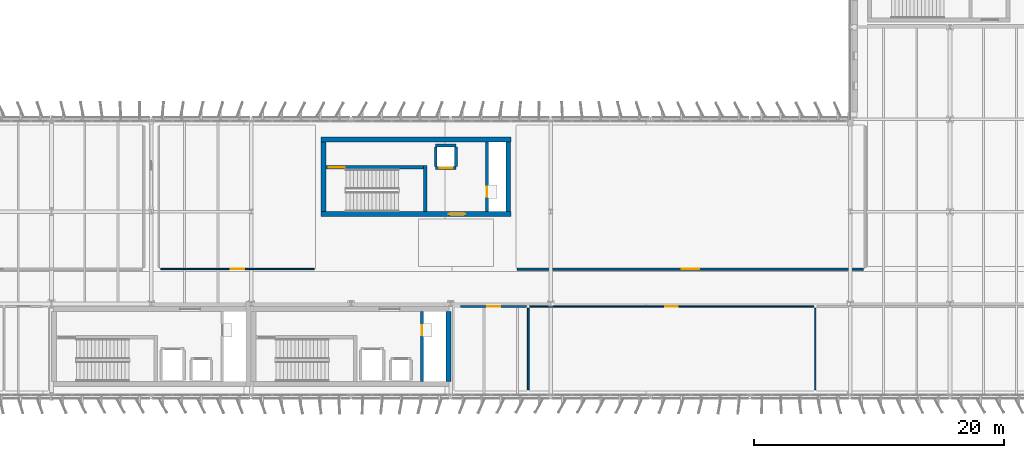
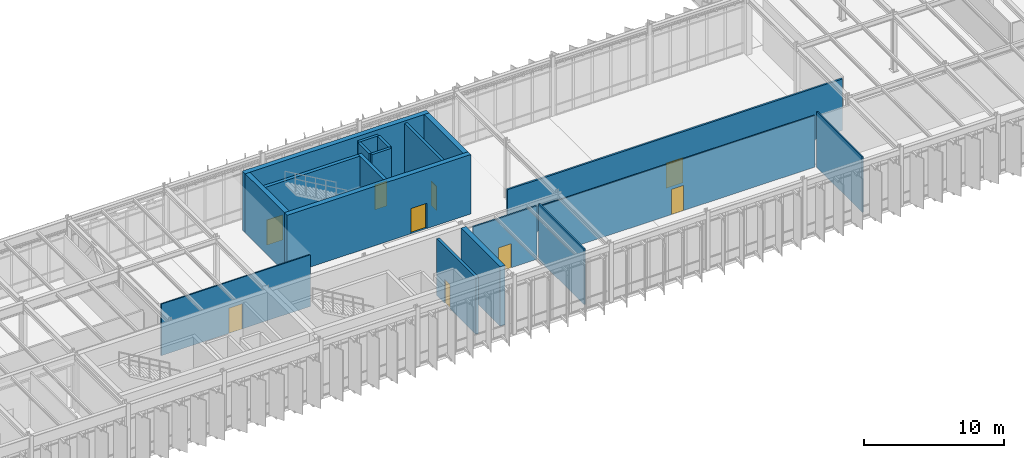
# One storey, part 35 of 48: 19 walls, 9 doors, 9 openings.
"""IFC4 building model written with IfcOpenShell, lengths in metres."""

import ifcopenshell
import ifcopenshell.guid

model = None  # the IFC model being written
_history = None  # IfcOwnerHistory: only IFC2X3 demands one
_inside = {}  # id of a spatial element -> (the spatial element, [elements in it])
_under = {}  # id of a project, library or spatial element -> (it, [spatial elements below it])
_declared = {}  # id of a project -> (the project, [libraries it declares])
_typed = {}  # id of a type object -> (the type object, [elements of that type])
_made_of = {}  # id of a material, layer set ... -> (it, [elements and type objects made of it])


def new_model(schema):
    """Start an empty IFC model of exactly this schema.

    Asked for "IFC4X3", IfcOpenShell would pick the latest addendum, in which some entities
    have other attributes; the version numbers below select the first issue.
    IFC2X3 requires an IfcOwnerHistory on every rooted entity: one is made here for all.
    """
    global model, _history
    if schema == "IFC4X3":
        model = ifcopenshell.file(schema_version=(4, 3, 0, 0))
    else:
        model = ifcopenshell.file(schema=schema)
    _inside.clear()
    _under.clear()
    _declared.clear()
    _typed.clear()
    _made_of.clear()
    _history = None
    if model.schema == "IFC2X3":
        org = make("IfcOrganization", Name="unknown")
        user = make(
            "IfcPersonAndOrganization",
            ThePerson=make("IfcPerson", FamilyName="unknown"),
            TheOrganization=org,
        )
        app = make(
            "IfcApplication",
            ApplicationDeveloper=org,
            Version="unknown",
            ApplicationFullName="unknown",
            ApplicationIdentifier="unknown",
        )
        _history = make(
            "IfcOwnerHistory",
            OwningUser=user,
            OwningApplication=app,
            ChangeAction="ADDED",
            CreationDate=0,
        )
    return model


def make(cls, **values):
    """One entity of the class cls with the attributes given. An attribute that is None is left unset."""
    return model.create_entity(
        cls, **{name: value for name, value in values.items() if value is not None}
    )


def rooted(cls, **values):
    """An entity with a GlobalId (a new one), such as an element, a storey or a relation."""
    return make(cls, GlobalId=ifcopenshell.guid.new(), OwnerHistory=_history, **values)


def si_unit(unit_type, name, prefix=None):
    """IfcSIUnit, for example si_unit("LENGTHUNIT", "METRE", prefix="MILLI")."""
    return make("IfcSIUnit", UnitType=unit_type, Prefix=prefix, Name=name)


def assignment(units):
    """IfcUnitAssignment: the units of a project."""
    return None if units is None else make("IfcUnitAssignment", Units=units)


def point(xyz):
    """IfcCartesianPoint."""
    return None if xyz is None else make("IfcCartesianPoint", Coordinates=xyz)


def direction(xyz):
    """IfcDirection."""
    return None if xyz is None else make("IfcDirection", DirectionRatios=xyz)


def frame(location, z_axis=None, x_axis=None):
    """IfcAxis2Placement3D, a coordinate frame: its origin and axes. An axis left out is left unset."""
    return make(
        "IfcAxis2Placement3D",
        Location=point(location),
        Axis=direction(z_axis),
        RefDirection=direction(x_axis),
    )


def frame_2d(location, x_axis=None):
    """IfcAxis2Placement2D, a coordinate frame in the plane: its origin and x axis."""
    return make(
        "IfcAxis2Placement2D", Location=point(location), RefDirection=direction(x_axis)
    )


def origin():
    """The frame at (0, 0, 0) with its axes left unset."""
    return frame((0.0, 0.0, 0.0))


def place(relative_to, where):
    """IfcLocalPlacement: puts the frame where relative to a parent placement (None: the world)."""
    return make(
        "IfcLocalPlacement", PlacementRelTo=relative_to, RelativePlacement=where
    )


def context(
    kind, dimensions, precision=None, world=None, true_north=None, identifier=None
):
    """IfcGeometricRepresentationContext, for example the 3D "Model" context."""
    return make(
        "IfcGeometricRepresentationContext",
        ContextIdentifier=identifier,
        ContextType=kind,
        CoordinateSpaceDimension=dimensions,
        Precision=precision,
        WorldCoordinateSystem=world,
        TrueNorth=true_north,
    )


def subcontext(parent, identifier, kind, view, scale=None):
    """IfcGeometricRepresentationSubContext, for example "Body" below "Model"."""
    return make(
        "IfcGeometricRepresentationSubContext",
        ContextIdentifier=identifier,
        ContextType=kind,
        ParentContext=parent,
        TargetScale=scale,
        TargetView=view,
    )


def project(units=None, contexts=None):
    """IfcProject with its units and contexts."""
    return rooted(
        "IfcProject",
        Name="project",
        RepresentationContexts=contexts,
        UnitsInContext=assignment(units),
    )


def spatial(cls, under=None, at=None, **own):
    """A site, building, storey or space (cls), placed at a placement, below another one or the project."""
    s = rooted(cls, ObjectPlacement=at, **own)
    if under is not None:
        _under.setdefault(under.id(), (under, []))[1].append(s)
    return s


def profile(cls, at=None, kind="AREA", **sizes):
    """A parametric profile (cls). Its sizes go by their IFC names, for example OverallWidth=200.0."""
    return make(cls, ProfileType=kind, Position=at, **sizes)


def rectangle(**sizes):
    """IfcRectangleProfileDef."""
    return profile("IfcRectangleProfileDef", **sizes)


def extrude(swept, where, along, depth):
    """IfcExtrudedAreaSolid: the profile swept, set in the frame where, extruded along a direction by depth."""
    return make(
        "IfcExtrudedAreaSolid",
        SweptArea=swept,
        Position=where,
        ExtrudedDirection=direction(along),
        Depth=depth,
    )


def shape(context_of_items, identifier, shape_type, items):
    """IfcShapeRepresentation: the items that make up one representation, for example the "Body"."""
    return make(
        "IfcShapeRepresentation",
        ContextOfItems=context_of_items,
        RepresentationIdentifier=identifier,
        RepresentationType=shape_type,
        Items=items,
    )


def material(Name=None, Category=None):
    """IfcMaterial."""
    return make("IfcMaterial", Name=Name, Category=Category)


def layer(
    of_material, thickness, ventilated=None, Name=None, Category=None, Priority=None
):
    """IfcMaterialLayer: one layer of a wall or slab, of a material (None: an air gap)."""
    return make(
        "IfcMaterialLayer",
        Material=of_material,
        LayerThickness=thickness,
        IsVentilated=ventilated,
        Name=Name,
        Category=Category,
        Priority=Priority,
    )


def layer_set(layers, Name=None):
    """IfcMaterialLayerSet."""
    return make("IfcMaterialLayerSet", MaterialLayers=layers, LayerSetName=Name)


def made_of(thing, what):
    """Note that an element or type object is made of a material, layer set ...; save() writes the relation."""
    if what is not None:
        _made_of.setdefault(what.id(), (what, []))[1].append(thing)
    return thing


def type_object(cls, material=None, **own):
    """A type object (cls), such as IfcWallType, which elements share."""
    return made_of(rooted(cls, **own), material)


def element(
    cls,
    number,
    at=None,
    inside=None,
    cuts=None,
    type_object=None,
    material=None,
    context=None,
    identifier="Body",
    shape_type=None,
    held_by="IfcProductDefinitionShape",
    body=None,
    shapes=None,
    **own,
):
    """One element of the class cls, such as IfcWall. Its Tag is "e" and its number.

    at: its placement. inside: the storey or other place that contains it. cuts: it is an
    opening in that element (IfcRelVoidsElement). A single representation is given by context,
    identifier, shape_type and body (its items); several are given by shapes. held_by: the class
    of the entity that holds the representations. save() writes the other relations.
    """
    e = rooted(cls, Tag="e%d" % number, ObjectPlacement=at, **own)
    if body is not None:
        shapes = [shape(context, identifier, shape_type, body)]
    if shapes is not None:
        e.Representation = make(held_by, Representations=shapes)
    if inside is not None:
        _inside.setdefault(inside.id(), (inside, []))[1].append(e)
    if cuts is not None:
        rooted(
            "IfcRelVoidsElement", RelatingBuildingElement=cuts, RelatedOpeningElement=e
        )
    if type_object is not None:
        _typed.setdefault(type_object.id(), (type_object, []))[1].append(e)
    return made_of(e, material)


def fill(opening, filler):
    """IfcRelFillsElement: the door or window that sits in an opening."""
    return rooted(
        "IfcRelFillsElement",
        RelatingOpeningElement=opening,
        RelatedBuildingElement=filler,
    )


def aggregate(whole, parts):
    """IfcRelAggregates: a whole, such as a stair, and the parts it consists of."""
    return rooted("IfcRelAggregates", RelatingObject=whole, RelatedObjects=parts)


def save(model, path):
    """Write the relations noted so far, then the file.

    IfcRelAggregates (storeys below a building ...), IfcRelContainedInSpatialStructure (elements
    in a storey), IfcRelDefinesByType, IfcRelAssociatesMaterial and IfcRelDeclares: one each for
    every whole, place, type object, material and project.
    """
    for whole, parts in _under.values():
        aggregate(whole, parts)
    for where, things in _inside.values():
        rooted(
            "IfcRelContainedInSpatialStructure",
            RelatedElements=things,
            RelatingStructure=where,
        )
    for kind, things in _typed.values():
        rooted("IfcRelDefinesByType", RelatedObjects=things, RelatingType=kind)
    for what, things in _made_of.values():
        rooted("IfcRelAssociatesMaterial", RelatedObjects=things, RelatingMaterial=what)
    for by, libraries in _declared.values():
        rooted("IfcRelDeclares", RelatingContext=by, RelatedDefinitions=libraries)
    model.write(path)


model = new_model("IFC4")

# Units and contexts
model_context = context("Model", 3, precision=1e-05, world=origin(), true_north=direction((0.0, 1.0)))
body_context = subcontext(model_context, "Body", "Model", "MODEL_VIEW")
ifc_project = project(units=[si_unit("LENGTHUNIT", "METRE"), si_unit("AREAUNIT", "SQUARE_METRE"), si_unit("VOLUMEUNIT", "CUBIC_METRE"), si_unit("PLANEANGLEUNIT", "RADIAN"), si_unit("MASSUNIT", "GRAM", prefix="KILO")], contexts=[model_context])

# Site, building, storey
site_placement = place(None, origin())
site = spatial("IfcSite", under=ifc_project, at=site_placement, CompositionType="ELEMENT")
building_placement = place(site_placement, origin())
building = spatial("IfcBuilding", under=site, at=building_placement, Name="Valkorina Park Police Headquarters", CompositionType="ELEMENT")
storey_placement = place(building_placement, frame((0.0, 0.0, 18.10009765625)))
storey = spatial("IfcBuildingStorey", under=building, at=storey_placement, Name="L05", CompositionType="ELEMENT", Elevation=18.10009765625)

# Wall, opening, door
ifc_material_1 = material(Name="Acoustic mineral board")
ifc_layer_1 = layer(ifc_material_1, 0.14990234375)
ifc_layer_set_1 = layer_set([ifc_layer_1], Name="Acoustic mineral board")
wall_type_1 = type_object("IfcWallType", Name="WL-ACOUST-150-EI30", PredefinedType="PARTITIONING", material=ifc_layer_set_1)
wall_1_placement = place(storey_placement, frame((54.139892578125, 47.199951171875, 0.0), z_axis=(0.0, 0.0, 1.0), x_axis=(1.0, 0.0, 0.0)))
wall_1 = element("IfcWall", 1, at=wall_1_placement, inside=storey, type_object=wall_type_1, Name="L05 Interior Partition 0237 (L05-CYB-06)", PredefinedType="PARTITIONING", context=body_context, shape_type="SweptSolid", body=[
    extrude(rectangle(XDim=27.72021484375, YDim=0.14990234375, at=frame_2d((13.860107421875, 0.0))), origin(), (0.0, 0.0, 1.0), 4.510009765625),
])
opening_1_placement = place(wall_1_placement, frame((13.159912109375, 0.0, 0.0)))
opening_1 = element("IfcOpeningElement", 2, at=opening_1_placement, cuts=wall_1, Name="Opening ID-07", PredefinedType="OPENING", context=body_context, shape_type="SweptSolid", body=[
    extrude(rectangle(XDim=1.39990234375, YDim=2.199951171875, at=frame_2d((0.699951171875, 1.10009765625))), frame((0.0, 0.0849609375, 0.0), z_axis=(0.0, -1.0, 0.0), x_axis=(1.0, 0.0, 0.0)), (0.0, 0.0, 1.0), 0.169921875),
])
ifc_material_2 = material(Name="Thermally broken aluminium AW-6060", Category="aluminium")
ifc_layer_2 = layer(ifc_material_2, 0.050048828125)
ifc_layer_set_2 = layer_set([ifc_layer_2], Name="Thermally broken aluminium AW-6060")
door_type_1 = type_object("IfcDoorType", Name="DR-INT-CONF-1400x2200", OperationType="NOTDEFINED", PredefinedType="DOOR", material=ifc_layer_set_2)
door_1_placement = place(opening_1_placement, origin())
door_1 = element("IfcDoor", 3, at=door_1_placement, inside=storey, type_object=door_type_1, Name="Door D-L05-I113 (L05-CYB-06)", OperationType="SINGLE_SWING_RIGHT", OverallHeight=2.199951171875, OverallWidth=1.39990234375, PredefinedType="DOOR", context=body_context, shape_type="SweptSolid", body=[
    extrude(rectangle(XDim=1.39990234375, YDim=2.199951171875, at=frame_2d((0.699951171875, 1.10009765625))), frame((0.0, 0.02490234375, 0.0), z_axis=(0.0, -1.0, 0.0), x_axis=(1.0, 0.0, 0.0)), (0.0, 0.0, 1.0), 0.050048828125),
])
fill(opening_1, door_1)

ifc_material_3 = material(Name="Autoclaved aerated concrete masonry", Category="masonry")
ifc_layer_3 = layer(ifc_material_3, 0.219970703125)
ifc_layer_set_3 = layer_set([ifc_layer_3], Name="Autoclaved aerated concrete masonry")
wall_type_2 = type_object("IfcWallType", Name="WL-CHASE-220-EI60", PredefinedType="PLUMBINGWALL", material=ifc_layer_set_3)
wall_2_placement = place(storey_placement, frame((46.489990234375, 38.199951171875, 0.0), z_axis=(0.0, 0.0, 1.0), x_axis=(0.0, 1.0, 0.0)))
wall_2 = element("IfcWall", 4, at=wall_2_placement, inside=storey, type_object=wall_type_2, Name="Core C2 L05 Riser Shaft West Wall", PredefinedType="PLUMBINGWALL", context=body_context, shape_type="SweptSolid", body=[
    extrude(rectangle(XDim=5.60009765625, YDim=0.219970703125, at=frame_2d((2.800048828125, 0.0))), origin(), (0.0, 0.0, 1.0), 4.97998046875),
])
opening_2_placement = place(wall_2_placement, frame((3.699951171875, 0.0, 0.0)))
opening_2 = element("IfcOpeningElement", 5, at=opening_2_placement, cuts=wall_2, Name="Opening ID-01", PredefinedType="OPENING", context=body_context, shape_type="SweptSolid", body=[
    extrude(rectangle(XDim=0.800048828125, YDim=2.10009765625, at=frame_2d((0.39990234375, 1.050048828125))), frame((0.0, 0.1201171875, 0.0), z_axis=(0.0, -1.0, 0.0), x_axis=(1.0, 0.0, 0.0)), (0.0, 0.0, 1.0), 0.239990234375),
])
ifc_material_4 = material(Name="Galvanized steel door leaf", Category="steel")
ifc_layer_4 = layer(ifc_material_4, 0.050048828125)
ifc_layer_set_4 = layer_set([ifc_layer_4], Name="Galvanized steel door leaf")
door_type_2 = type_object("IfcDoorType", Name="DR-INT-RISER-800x2100", OperationType="NOTDEFINED", PredefinedType="DOOR", material=ifc_layer_set_4)
door_2_placement = place(opening_2_placement, origin())
door_2 = element("IfcDoor", 6, at=door_2_placement, inside=storey, type_object=door_type_2, Name="Riser Shaft Access Door C2-L05", OperationType="SINGLE_SWING_LEFT", OverallHeight=2.10009765625, OverallWidth=0.800048828125, PredefinedType="DOOR", context=body_context, shape_type="SweptSolid", body=[
    extrude(rectangle(XDim=0.800048828125, YDim=2.10009765625, at=frame_2d((0.39990234375, 1.050048828125))), frame((0.0, 0.02490234375, 0.0), z_axis=(0.0, -1.0, 0.0), x_axis=(1.0, 0.0, 0.0)), (0.0, 0.0, 1.0), 0.050048828125),
])
fill(opening_2, door_2)

wall_3_placement = place(storey_placement, frame((47.590087890625, 55.2900390625, 0.0), z_axis=(0.0, 0.0, 1.0), x_axis=(1.0, 0.0, 0.0)))
wall_3 = element("IfcWall", 7, at=wall_3_placement, inside=storey, type_object=wall_type_2, Name="Lift LF-05 L05 Shaft Front Wall", PredefinedType="PLUMBINGWALL", context=body_context, shape_type="SweptSolid", body=[
    extrude(rectangle(XDim=1.619873046875, YDim=0.219970703125, at=frame_2d((0.81005859375, 0.0))), origin(), (0.0, 0.0, 1.0), 4.97998046875),
])
opening_3_placement = place(wall_3_placement, frame((0.31005859375, 0.0, 0.0)))
opening_3 = element("IfcOpeningElement", 8, at=opening_3_placement, cuts=wall_3, Name="Opening LD-02", PredefinedType="OPENING", context=body_context, shape_type="SweptSolid", body=[
    extrude(rectangle(XDim=1.0, YDim=2.199951171875, at=frame_2d((0.5, 1.10009765625))), frame((0.0, 0.1201171875, 0.0), z_axis=(0.0, -1.0, 0.0), x_axis=(1.0, 0.0, 0.0)), (0.0, 0.0, 1.0), 0.239990234375),
])
ifc_material_5 = material(Name="Stainless steel EN 1.4404", Category="steel")
ifc_layer_5 = layer(ifc_material_5, 0.050048828125)
ifc_layer_set_5 = layer_set([ifc_layer_5], Name="Stainless steel EN 1.4404")
door_type_3 = type_object("IfcDoorType", Name="DR-LIFT-PAX-1000x2200", OperationType="NOTDEFINED", PredefinedType="DOOR", material=ifc_layer_set_5)
door_3_placement = place(opening_3_placement, origin())
door_3 = element("IfcDoor", 9, at=door_3_placement, inside=storey, type_object=door_type_3, Name="Lift Landing Door LF-05-L05", OperationType="DOUBLE_DOOR_SLIDING", OverallHeight=2.199951171875, OverallWidth=1.0, PredefinedType="DOOR", context=body_context, shape_type="SweptSolid", body=[
    extrude(rectangle(XDim=1.0, YDim=2.199951171875, at=frame_2d((0.5, 1.10009765625))), frame((0.0, 0.02490234375, 0.0), z_axis=(0.0, -1.0, 0.0), x_axis=(1.0, 0.0, 0.0)), (0.0, 0.0, 1.0), 0.050048828125),
])
fill(opening_3, door_3)

# Walls
wall_4_placement = place(storey_placement, frame((47.590087890625, 57.110107421875, 0.0), z_axis=(0.0, 0.0, 1.0), x_axis=(1.0, 0.0, 0.0)))
element("IfcWall", 10, at=wall_4_placement, inside=storey, type_object=wall_type_2, Name="Lift LF-05 L05 Shaft Back Wall", PredefinedType="PLUMBINGWALL", context=body_context, shape_type="SweptSolid", body=[
    extrude(rectangle(XDim=1.619873046875, YDim=0.219970703125, at=frame_2d((0.81005859375, 0.0))), origin(), (0.0, 0.0, 1.0), 4.97998046875),
])
for number, where, z_axis, x_axis, name in (
    (11, (47.590087890625, 55.39990234375, 0.0), (0.0, 0.0, 1.0), (0.0, 1.0, 0.0), "Lift LF-05 L05 Shaft Side Wall W"),
    (12, (49.2099609375, 55.39990234375, 0.0), (0.0, 0.0, 1.0), (0.0, 1.0, 0.0), "Lift LF-05 L05 Shaft Side Wall E"),
):
    element("IfcWall", number, at=place(storey_placement, frame(where, z_axis=z_axis, x_axis=x_axis)), inside=storey, type_object=wall_type_2, Name=name, PredefinedType="PLUMBINGWALL", context=body_context, shape_type="SweptSolid", body=[
        extrude(rectangle(XDim=1.60009765625, YDim=0.219970703125, at=frame_2d((0.800048828125, 0.0))), origin(), (0.0, 0.0, 1.0), 4.97998046875),
    ])

# Wall, opening, door
wall_5_placement = place(storey_placement, frame((51.68994140625, 51.800048828125, 0.0), z_axis=(0.0, 0.0, 1.0), x_axis=(0.0, 1.0, 0.0)))
wall_5 = element("IfcWall", 13, at=wall_5_placement, inside=storey, type_object=wall_type_2, Name="Core C3 L05 Riser Shaft West Wall", PredefinedType="PLUMBINGWALL", context=body_context, shape_type="SweptSolid", body=[
    extrude(rectangle(XDim=5.599853515625, YDim=0.219970703125, at=frame_2d((2.7998046875, 0.0))), origin(), (0.0, 0.0, 1.0), 4.97998046875),
])
opening_4_placement = place(wall_5_placement, frame((1.199951171875, 0.0, 0.0)))
opening_4 = element("IfcOpeningElement", 14, at=opening_4_placement, cuts=wall_5, Name="Opening ID-01", PredefinedType="OPENING", context=body_context, shape_type="SweptSolid", body=[
    extrude(rectangle(XDim=0.800048828125, YDim=2.10009765625, at=frame_2d((0.39990234375, 1.050048828125))), frame((0.0, 0.1201171875, 0.0), z_axis=(0.0, -1.0, 0.0), x_axis=(1.0, 0.0, 0.0)), (0.0, 0.0, 1.0), 0.239990234375),
])
door_4_placement = place(opening_4_placement, origin())
door_4 = element("IfcDoor", 15, at=door_4_placement, inside=storey, type_object=door_type_2, Name="Riser Shaft Access Door C3-L05", OperationType="SINGLE_SWING_RIGHT", OverallHeight=2.10009765625, OverallWidth=0.800048828125, PredefinedType="DOOR", context=body_context, shape_type="SweptSolid", body=[
    extrude(rectangle(XDim=0.800048828125, YDim=2.10009765625, at=frame_2d((0.39990234375, 1.050048828125))), frame((0.0, 0.02490234375, 0.0), z_axis=(0.0, -1.0, 0.0), x_axis=(1.0, 0.0, 0.0)), (0.0, 0.0, 1.0), 0.050048828125),
])
fill(opening_4, door_4)

# Wall
ifc_material_6 = material(Name="Concrete C40/50", Category="concrete")
ifc_layer_6 = layer(ifc_material_6, 0.39990234375)
ifc_layer_set_6 = layer_set([ifc_layer_6], Name="Concrete C40/50")
wall_type_3 = type_object("IfcWallType", Name="WL-CORE-400-REI180", PredefinedType="SHEAR", material=ifc_layer_set_6)
wall_6_placement = place(storey_placement, frame((48.60009765625, 38.199951171875, 0.0), z_axis=(0.0, 0.0, 1.0), x_axis=(0.0, 1.0, 0.0)))
element("IfcWall", 16, at=wall_6_placement, inside=storey, type_object=wall_type_3, Name="Core C2 L05 Shear Wall E", PredefinedType="SHEAR", context=body_context, shape_type="SweptSolid", body=[
    extrude(rectangle(XDim=5.60009765625, YDim=0.39990234375, at=frame_2d((2.800048828125, 0.0))), origin(), (0.0, 0.0, 1.0), 5.19482421875),
])

# Wall, opening, door
wall_7_placement = place(storey_placement, frame((38.39990234375, 51.60009765625, 0.0), z_axis=(0.0, 0.0, 1.0), x_axis=(1.0, 0.0, 0.0)))
wall_7 = element("IfcWall", 17, at=wall_7_placement, inside=storey, type_object=wall_type_3, Name="Core C3 L05 Shear Wall S", PredefinedType="SHEAR", context=body_context, shape_type="SweptSolid", body=[
    extrude(rectangle(XDim=15.2001953125, YDim=0.39990234375, at=frame_2d((7.60009765625, 0.0))), origin(), (0.0, 0.0, 1.0), 5.19482421875),
])
opening_5_placement = place(wall_7_placement, frame((10.25, 0.0, 0.0)))
opening_5 = element("IfcOpeningElement", 18, at=opening_5_placement, cuts=wall_7, Name="Opening FD-03", PredefinedType="OPENING", context=body_context, shape_type="SweptSolid", body=[
    extrude(rectangle(XDim=1.300048828125, YDim=2.199951171875, at=frame_2d((0.64990234375, 1.10009765625))), frame((0.0, 0.2099609375, 0.0), z_axis=(0.0, -1.0, 0.0), x_axis=(1.0, 0.0, 0.0)), (0.0, 0.0, 1.0), 0.419921875),
])
ifc_layer_7 = layer(ifc_material_4, 0.050048828125)
ifc_layer_set_7 = layer_set([ifc_layer_7], Name="Galvanized steel door leaf")
door_type_4 = type_object("IfcDoorType", Name="DR-FIRE-STAIR-1300x2200", OperationType="NOTDEFINED", PredefinedType="DOOR", material=ifc_layer_set_7)
door_5_placement = place(opening_5_placement, origin())
door_5 = element("IfcDoor", 19, at=door_5_placement, inside=storey, type_object=door_type_4, Name="Door D-L05-LBY-C3 (Core C3 Lobby Fire Door)", OperationType="SINGLE_SWING_LEFT", OverallHeight=2.199951171875, OverallWidth=1.300048828125, PredefinedType="DOOR", context=body_context, shape_type="SweptSolid", body=[
    extrude(rectangle(XDim=1.300048828125, YDim=2.199951171875, at=frame_2d((0.64990234375, 1.10009765625))), frame((0.0, 0.02490234375, 0.0), z_axis=(0.0, -1.0, 0.0), x_axis=(1.0, 0.0, 0.0)), (0.0, 0.0, 1.0), 0.050048828125),
])
fill(opening_5, door_5)

# Walls
wall_8_placement = place(storey_placement, frame((38.39990234375, 57.60009765625, 0.0), z_axis=(0.0, 0.0, 1.0), x_axis=(1.0, 0.0, 0.0)))
element("IfcWall", 20, at=wall_8_placement, inside=storey, type_object=wall_type_3, Name="Core C3 L05 Shear Wall N", PredefinedType="SHEAR", context=body_context, shape_type="SweptSolid", body=[
    extrude(rectangle(XDim=15.2001953125, YDim=0.39990234375, at=frame_2d((7.60009765625, 0.0))), origin(), (0.0, 0.0, 1.0), 5.19482421875),
])
for number, where, z_axis, x_axis, name in (
    (21, (38.60009765625, 51.800048828125, 0.0), (0.0, 0.0, 1.0), (0.0, 1.0, 0.0), "Core C3 L05 Shear Wall W"),
    (22, (53.39990234375, 51.800048828125, 0.0), (0.0, 0.0, 1.0), (0.0, 1.0, 0.0), "Core C3 L05 Shear Wall E"),
):
    element("IfcWall", number, at=place(storey_placement, frame(where, z_axis=z_axis, x_axis=x_axis)), inside=storey, type_object=wall_type_3, Name=name, PredefinedType="SHEAR", context=body_context, shape_type="SweptSolid", body=[
        extrude(rectangle(XDim=5.599853515625, YDim=0.39990234375, at=frame_2d((2.7998046875, 0.0))), origin(), (0.0, 0.0, 1.0), 5.19482421875),
    ])

# Wall, opening, door
ifc_material_7 = material(Name="Gypsum plasterboard")
ifc_layer_8 = layer(ifc_material_7, 0.10009765625)
ifc_layer_set_8 = layer_set([ifc_layer_8], Name="Gypsum plasterboard")
wall_type_4 = type_object("IfcWallType", Name="WL-PART-100", PredefinedType="PARTITIONING", material=ifc_layer_set_8)
wall_9_placement = place(storey_placement, frame((25.5400390625, 47.199951171875, 0.0), z_axis=(0.0, 0.0, 1.0), x_axis=(1.0, 0.0, 0.0)))
wall_9 = element("IfcWall", 23, at=wall_9_placement, inside=storey, type_object=wall_type_4, Name="L05 Interior Partition 0233 (L05-CYB-03)", PredefinedType="PARTITIONING", context=body_context, shape_type="SweptSolid", body=[
    extrude(rectangle(XDim=12.320068359375, YDim=0.10009765625, at=frame_2d((6.16015625, 0.0))), origin(), (0.0, 0.0, 1.0), 4.510009765625),
])
opening_6_placement = place(wall_9_placement, frame((5.610107421875, 0.0, 0.0)))
opening_6 = element("IfcOpeningElement", 24, at=opening_6_placement, cuts=wall_9, Name="Opening ID-05", PredefinedType="OPENING", context=body_context, shape_type="SweptSolid", body=[
    extrude(rectangle(XDim=1.10009765625, YDim=2.199951171875, at=frame_2d((0.550048828125, 1.10009765625))), frame((0.0, 0.06005859375, 0.0), z_axis=(0.0, -1.0, 0.0), x_axis=(1.0, 0.0, 0.0)), (0.0, 0.0, 1.0), 0.1201171875),
])
ifc_layer_9 = layer(ifc_material_2, 0.050048828125)
ifc_layer_set_9 = layer_set([ifc_layer_9], Name="Thermally broken aluminium AW-6060")
door_type_5 = type_object("IfcDoorType", Name="DR-INT-INV-1100x2200", OperationType="NOTDEFINED", PredefinedType="DOOR", material=ifc_layer_set_9)
door_6_placement = place(opening_6_placement, origin())
door_6 = element("IfcDoor", 25, at=door_6_placement, inside=storey, type_object=door_type_5, Name="Door D-L05-I111 (L05-CYB-03)", OperationType="SINGLE_SWING_RIGHT", OverallHeight=2.199951171875, OverallWidth=1.10009765625, PredefinedType="DOOR", context=body_context, shape_type="SweptSolid", body=[
    extrude(rectangle(XDim=1.10009765625, YDim=2.199951171875, at=frame_2d((0.550048828125, 1.10009765625))), frame((0.0, 0.02490234375, 0.0), z_axis=(0.0, -1.0, 0.0), x_axis=(1.0, 0.0, 0.0)), (0.0, 0.0, 1.0), 0.050048828125),
])
fill(opening_6, door_6)

wall_10_placement = place(storey_placement, frame((55.139892578125, 44.199951171875, 0.0), z_axis=(0.0, 0.0, 1.0), x_axis=(1.0, 0.0, 0.0)))
wall_10 = element("IfcWall", 26, at=wall_10_placement, inside=storey, type_object=wall_type_4, Name="L05 Interior Partition 0235 (L05-CYB-05)", PredefinedType="PARTITIONING", context=body_context, shape_type="SweptSolid", body=[
    extrude(rectangle(XDim=22.72021484375, YDim=0.10009765625, at=frame_2d((11.360107421875, 0.0))), origin(), (0.0, 0.0, 1.0), 4.510009765625),
])
opening_7_placement = place(wall_10_placement, frame((10.860107421875, 0.0, 0.0)))
opening_7 = element("IfcOpeningElement", 27, at=opening_7_placement, cuts=wall_10, Name="Opening ID-04", PredefinedType="OPENING", context=body_context, shape_type="SweptSolid", body=[
    extrude(rectangle(XDim=1.0, YDim=2.199951171875, at=frame_2d((0.5, 1.10009765625))), frame((0.0, 0.06005859375, 0.0), z_axis=(0.0, -1.0, 0.0), x_axis=(1.0, 0.0, 0.0)), (0.0, 0.0, 1.0), 0.1201171875),
])
ifc_layer_10 = layer(ifc_material_2, 0.050048828125)
ifc_layer_set_10 = layer_set([ifc_layer_10], Name="Thermally broken aluminium AW-6060")
door_type_6 = type_object("IfcDoorType", Name="DR-INT-OFF-1000x2200", OperationType="NOTDEFINED", PredefinedType="DOOR", material=ifc_layer_set_10)
door_7_placement = place(opening_7_placement, origin())
door_7 = element("IfcDoor", 28, at=door_7_placement, inside=storey, type_object=door_type_6, Name="Door D-L05-I112 (L05-CYB-05)", OperationType="SINGLE_SWING_LEFT", OverallHeight=2.199951171875, OverallWidth=1.0, PredefinedType="DOOR", context=body_context, shape_type="SweptSolid", body=[
    extrude(rectangle(XDim=1.0, YDim=2.199951171875, at=frame_2d((0.5, 1.10009765625))), frame((0.0, 0.02490234375, 0.0), z_axis=(0.0, -1.0, 0.0), x_axis=(1.0, 0.0, 0.0)), (0.0, 0.0, 1.0), 0.050048828125),
])
fill(opening_7, door_7)

# Wall
wall_11_placement = place(storey_placement, frame((78.0, 37.5400390625, 0.0), z_axis=(0.0, 0.0, 1.0), x_axis=(0.0, 1.0, 0.0)))
element("IfcWall", 29, at=wall_11_placement, inside=storey, type_object=wall_type_4, Name="L05 Interior Partition 0236 (L05-CYB-05)", PredefinedType="PARTITIONING", context=body_context, shape_type="SweptSolid", body=[
    extrude(rectangle(XDim=6.52001953125, YDim=0.10009765625, at=frame_2d((3.260009765625, 0.0))), origin(), (0.0, 0.0, 1.0), 4.869873046875),
])

# Wall, opening, door
ifc_layer_11 = layer(ifc_material_7, 0.125)
ifc_layer_set_11 = layer_set([ifc_layer_11], Name="Gypsum plasterboard")
wall_type_5 = type_object("IfcWallType", Name="WL-PART-125-EI30", PredefinedType="PARTITIONING", material=ifc_layer_set_11)
wall_12_placement = place(storey_placement, frame((49.590087890625, 44.199951171875, 0.0), z_axis=(0.0, 0.0, 1.0), x_axis=(1.0, 0.0, 0.0)))
wall_12 = element("IfcWall", 30, at=wall_12_placement, inside=storey, type_object=wall_type_5, Name="L05 Interior Partition 0231 (L05-WC-A)", PredefinedType="PARTITIONING", context=body_context, shape_type="SweptSolid", body=[
    extrude(rectangle(XDim=5.27001953125, YDim=0.125, at=frame_2d((2.635009765625, 0.0))), origin(), (0.0, 0.0, 1.0), 4.659912109375),
])
opening_8_placement = place(wall_12_placement, frame((2.110107421875, 0.0, 0.0)))
opening_8 = element("IfcOpeningElement", 31, at=opening_8_placement, cuts=wall_12, Name="Opening ID-03", PredefinedType="OPENING", context=body_context, shape_type="SweptSolid", body=[
    extrude(rectangle(XDim=1.050048828125, YDim=2.10009765625, at=frame_2d((0.52490234375, 1.050048828125))), frame((0.0, 0.072509765625, 0.0), z_axis=(0.0, -1.0, 0.0), x_axis=(1.0, 0.0, 0.0)), (0.0, 0.0, 1.0), 0.14501953125),
])
ifc_layer_12 = layer(ifc_material_2, 0.050048828125)
ifc_layer_set_12 = layer_set([ifc_layer_12], Name="Thermally broken aluminium AW-6060")
door_type_7 = type_object("IfcDoorType", Name="DR-INT-ACC-1050x2100", OperationType="NOTDEFINED", PredefinedType="DOOR", material=ifc_layer_set_12)
door_8_placement = place(opening_8_placement, origin())
door_8 = element("IfcDoor", 32, at=door_8_placement, inside=storey, type_object=door_type_7, Name="Door D-L05-I110 (L05-WC-A)", OperationType="SINGLE_SWING_LEFT", OverallHeight=2.10009765625, OverallWidth=1.050048828125, PredefinedType="DOOR", context=body_context, shape_type="SweptSolid", body=[
    extrude(rectangle(XDim=1.050048828125, YDim=2.10009765625, at=frame_2d((0.52490234375, 1.050048828125))), frame((0.0, 0.02490234375, 0.0), z_axis=(0.0, -1.0, 0.0), x_axis=(1.0, 0.0, 0.0)), (0.0, 0.0, 1.0), 0.050048828125),
])
fill(opening_8, door_8)

# Walls
wall_13_placement = place(storey_placement, frame((55.0, 37.5400390625, 0.0), z_axis=(0.0, 0.0, 1.0), x_axis=(0.0, 1.0, 0.0)))
element("IfcWall", 33, at=wall_13_placement, inside=storey, type_object=wall_type_5, Name="L05 Interior Partition 0232 (L05-WC-A)", PredefinedType="PARTITIONING", context=body_context, shape_type="SweptSolid", body=[
    extrude(rectangle(XDim=6.52001953125, YDim=0.125, at=frame_2d((3.260009765625, 0.0))), origin(), (0.0, 0.0, 1.0), 4.869873046875),
])
ifc_layer_13 = layer(ifc_material_6, 0.280029296875)
ifc_layer_set_13 = layer_set([ifc_layer_13], Name="Concrete C40/50")
wall_type_6 = type_object("IfcWallType", Name="WL-STAIR-280-REI120", PredefinedType="SHEAR", material=ifc_layer_set_13)
wall_14_placement = place(storey_placement, frame((46.739990234375, 51.800048828125, 0.0), z_axis=(0.0, 0.0, 1.0), x_axis=(0.0, 1.0, 0.0)))
element("IfcWall", 34, at=wall_14_placement, inside=storey, type_object=wall_type_6, Name="Core C3 L05 Shear Wall DIV", PredefinedType="SHEAR", context=body_context, shape_type="SweptSolid", body=[
    extrude(rectangle(XDim=3.679931640625, YDim=0.280029296875, at=frame_2d((1.83984375, 0.0))), origin(), (0.0, 0.0, 1.0), 5.19482421875),
])

# Wall, opening, door
wall_15_placement = place(storey_placement, frame((38.800048828125, 55.340087890625, 0.0), z_axis=(0.0, 0.0, 1.0), x_axis=(1.0, 0.0, 0.0)))
wall_15 = element("IfcWall", 35, at=wall_15_placement, inside=storey, type_object=wall_type_6, Name="Core C3 L05 Shear Wall SIDE", PredefinedType="SHEAR", context=body_context, shape_type="SweptSolid", body=[
    extrude(rectangle(XDim=7.800048828125, YDim=0.280029296875, at=frame_2d((3.89990234375, 0.0))), origin(), (0.0, 0.0, 1.0), 5.19482421875),
])
opening_9_placement = place(wall_15_placement, frame((0.199951171875, 0.0, 0.0)))
opening_9 = element("IfcOpeningElement", 36, at=opening_9_placement, cuts=wall_15, Name="Opening FD-03", PredefinedType="OPENING", context=body_context, shape_type="SweptSolid", body=[
    extrude(rectangle(XDim=1.300048828125, YDim=2.199951171875, at=frame_2d((0.64990234375, 1.10009765625))), frame((0.0, 0.14990234375, 0.0), z_axis=(0.0, -1.0, 0.0), x_axis=(1.0, 0.0, 0.0)), (0.0, 0.0, 1.0), 0.300048828125),
])
door_9_placement = place(opening_9_placement, origin())
door_9 = element("IfcDoor", 37, at=door_9_placement, inside=storey, type_object=door_type_4, Name="Door D-L05-C111 (ST-03 Stair Fire Door)", OperationType="SINGLE_SWING_RIGHT", OverallHeight=2.199951171875, OverallWidth=1.300048828125, PredefinedType="DOOR", context=body_context, shape_type="SweptSolid", body=[
    extrude(rectangle(XDim=1.300048828125, YDim=2.199951171875, at=frame_2d((0.64990234375, 1.10009765625))), frame((0.0, 0.02490234375, 0.0), z_axis=(0.0, -1.0, 0.0), x_axis=(1.0, 0.0, 0.0)), (0.0, 0.0, 1.0), 0.050048828125),
])
fill(opening_9, door_9)

save(model, "model.ifc")
